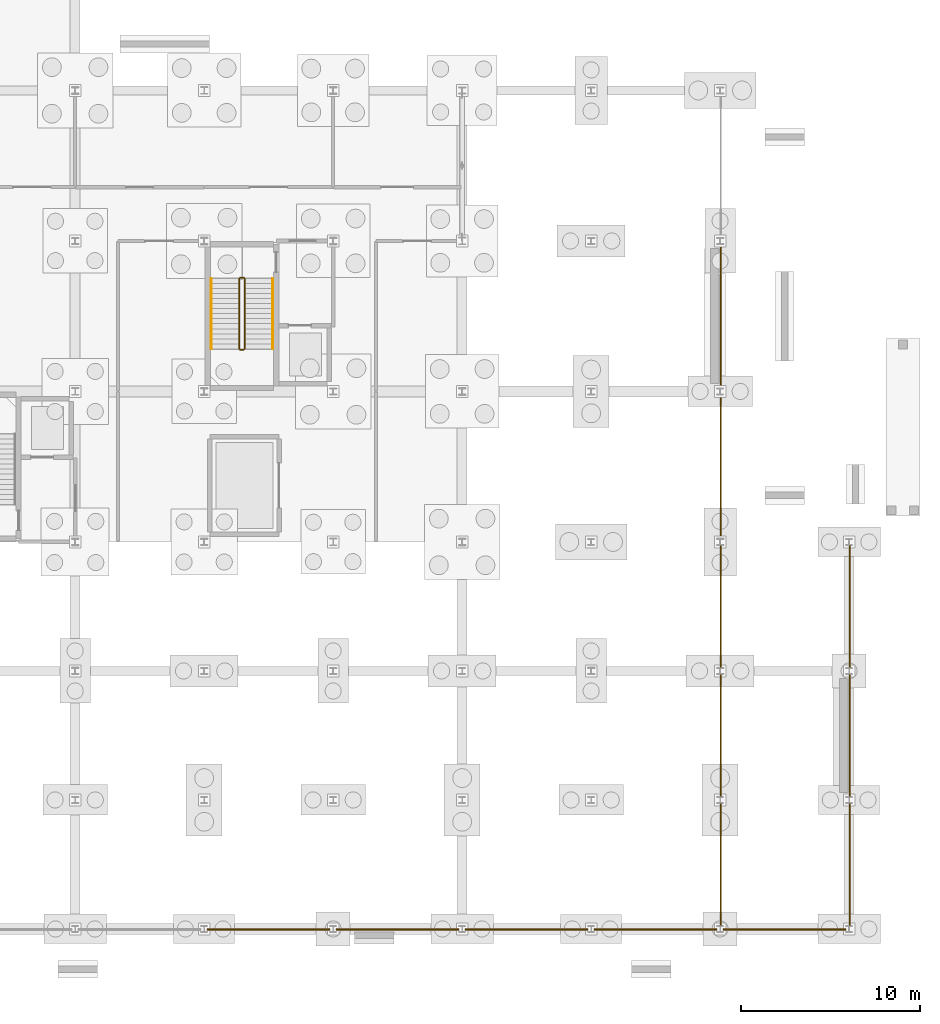
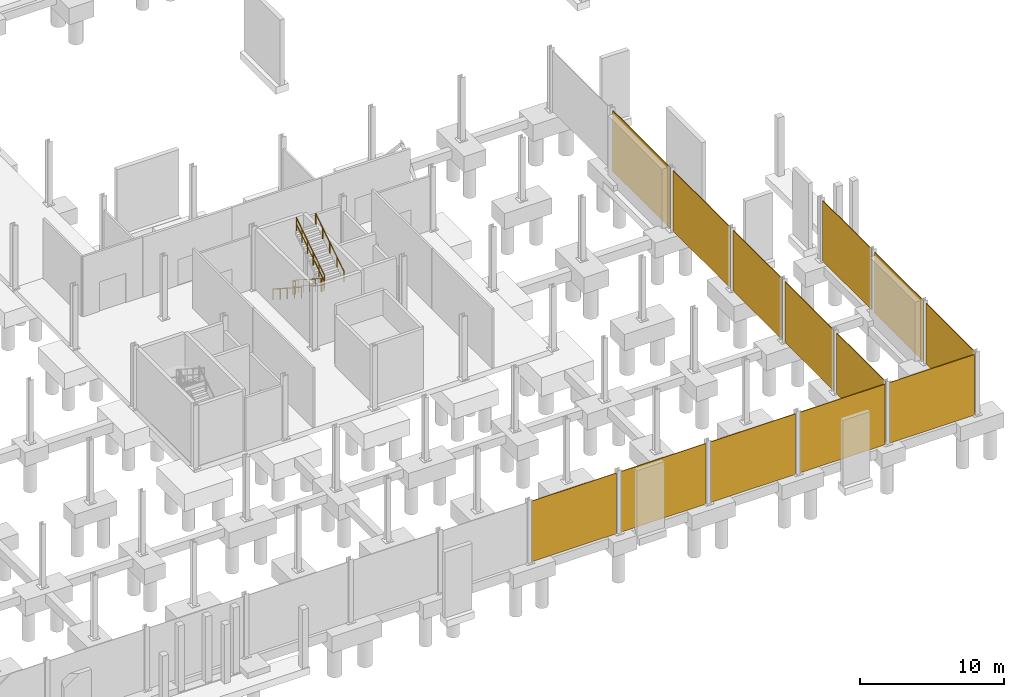
# One storey, part 59 of 61: 13 coverings, 6 railings.
"""IFC4 building model written with IfcOpenShell, lengths in metres."""

from ifc_helpers import new_model, si_unit, direction, frame, origin, origin_2d, place, context, subcontext, project, spatial, polyline, circle, outline, extrude, material, layer, layer_set, type_object, element, save


model = new_model("IFC4")

# Units and contexts
model_context = context("Model", 3, precision=1e-05, world=origin(), true_north=direction((0.0, 1.0)))
body_context = subcontext(model_context, "Body", "Model", "MODEL_VIEW")
ifc_project = project(units=[si_unit("LENGTHUNIT", "METRE"), si_unit("AREAUNIT", "SQUARE_METRE"), si_unit("VOLUMEUNIT", "CUBIC_METRE"), si_unit("PLANEANGLEUNIT", "RADIAN"), si_unit("MASSUNIT", "GRAM", prefix="KILO")], contexts=[model_context])

# Site, building, storey
site_placement = place(None, origin())
site = spatial("IfcSite", under=ifc_project, at=site_placement, CompositionType="ELEMENT")
building_placement = place(site_placement, origin())
building = spatial("IfcBuilding", under=site, at=building_placement, Name="Calvrana Isthmian Art Gallery", CompositionType="ELEMENT")
storey_placement = place(building_placement, frame((0.0, 0.0, -5.39990234375)))
storey = spatial("IfcBuildingStorey", under=building, at=storey_placement, Name="B1", CompositionType="ELEMENT", Elevation=-5.39990234375)

# Coverings
ifc_material_1 = material(Name="Pale Isthmian limestone", Category="masonry")
ifc_layer = layer(ifc_material_1, 0.06005859375, Name="Pale Isthmian limestone")
ifc_layer_set = layer_set([ifc_layer], Name="Pale Isthmian limestone")
covering_type = type_object("IfcCoveringType", Name="COV-PLINTH-LIME", PredefinedType="CLADDING", material=ifc_layer_set)
covering_1_placement = place(storey_placement, origin())
element("IfcCovering", 1, at=covering_1_placement, inside=storey, type_object=covering_type, Name="Limestone basement plinth panel X-009", PredefinedType="CLADDING", context=body_context, shape_type="SweptSolid", body=[
    extrude(outline(polyline([(127.382080078125, -0.06005859375), (134.215576171875, -0.06005859375), (134.215576171875, 0.0), (127.382080078125, 0.0), (127.382080078125, -0.06005859375)])), origin(), (0.0, 0.0, 1.0), 5.14990234375),
])
covering_2_placement = place(storey_placement, origin())
element("IfcCovering", 2, at=covering_2_placement, inside=storey, type_object=covering_type, Name="Limestone basement plinth panel X-010", PredefinedType="CLADDING", context=body_context, shape_type="SweptSolid", body=[
    extrude(outline(polyline([(134.58447265625, -0.06005859375), (141.41552734375, -0.06005859375), (141.41552734375, 0.0), (134.58447265625, 0.0), (134.58447265625, -0.06005859375)])), origin(), (0.0, 0.0, 1.0), 5.14990234375),
])
covering_3_placement = place(storey_placement, origin())
element("IfcCovering", 3, at=covering_3_placement, inside=storey, type_object=covering_type, Name="Limestone basement plinth panel X-011", PredefinedType="CLADDING", context=body_context, shape_type="SweptSolid", body=[
    extrude(outline(polyline([(141.784423828125, -0.06005859375), (148.616455078125, -0.06005859375), (148.616455078125, 0.0), (141.784423828125, 0.0), (141.784423828125, -0.06005859375)])), origin(), (0.0, 0.0, 1.0), 5.14990234375),
])
covering_4_placement = place(storey_placement, origin())
element("IfcCovering", 4, at=covering_4_placement, inside=storey, type_object=covering_type, Name="Limestone basement plinth panel X-012", PredefinedType="CLADDING", context=body_context, shape_type="SweptSolid", body=[
    extrude(outline(polyline([(148.9833984375, -0.06005859375), (155.818115234375, -0.06005859375), (155.818115234375, 0.0), (148.9833984375, 0.0), (148.9833984375, -0.06005859375)])), origin(), (0.0, 0.0, 1.0), 5.14990234375),
])
covering_5_placement = place(storey_placement, origin())
element("IfcCovering", 5, at=covering_5_placement, inside=storey, type_object=covering_type, Name="Limestone basement plinth panel X-013", PredefinedType="CLADDING", context=body_context, shape_type="SweptSolid", body=[
    extrude(outline(polyline([(156.181884765625, -0.06005859375), (163.015380859375, -0.06005859375), (163.015380859375, 0.0), (156.181884765625, 0.0), (156.181884765625, -0.06005859375)])), origin(), (0.0, 0.0, 1.0), 5.14990234375),
])
covering_6_placement = place(storey_placement, origin())
element("IfcCovering", 6, at=covering_6_placement, inside=storey, type_object=covering_type, Name="Limestone basement plinth panel Y-036", PredefinedType="CLADDING", context=body_context, shape_type="SweptSolid", body=[
    extrude(outline(polyline([(156.0, 0.176025390625), (156.06005859375, 0.176025390625), (156.06005859375, 7.0205078125), (156.0, 7.0205078125), (156.0, 0.176025390625)])), origin(), (0.0, 0.0, 1.0), 5.14990234375),
])
covering_7_placement = place(storey_placement, origin())
element("IfcCovering", 7, at=covering_7_placement, inside=storey, type_object=covering_type, Name="Limestone basement plinth panel Y-037", PredefinedType="CLADDING", context=body_context, shape_type="SweptSolid", body=[
    extrude(outline(polyline([(156.0, 7.37939453125), (156.06005859375, 7.37939453125), (156.06005859375, 14.21142578125), (156.0, 14.21142578125), (156.0, 7.37939453125)])), origin(), (0.0, 0.0, 1.0), 5.14990234375),
])
covering_8_placement = place(storey_placement, origin())
element("IfcCovering", 8, at=covering_8_placement, inside=storey, type_object=covering_type, Name="Limestone basement plinth panel Y-038", PredefinedType="CLADDING", context=body_context, shape_type="SweptSolid", body=[
    extrude(outline(polyline([(156.0, 14.58837890625), (156.06005859375, 14.58837890625), (156.06005859375, 21.408935546875), (156.0, 21.408935546875), (156.0, 14.58837890625)])), origin(), (0.0, 0.0, 1.0), 5.14990234375),
])
covering_9_placement = place(storey_placement, origin())
element("IfcCovering", 9, at=covering_9_placement, inside=storey, type_object=covering_type, Name="Limestone basement plinth panel Y-039", PredefinedType="CLADDING", context=body_context, shape_type="SweptSolid", body=[
    extrude(outline(polyline([(156.0, 21.791015625), (156.06005859375, 21.791015625), (156.06005859375, 29.8154296875), (156.0, 29.8154296875), (156.0, 21.791015625)])), origin(), (0.0, 0.0, 1.0), 5.14990234375),
])
covering_10_placement = place(storey_placement, origin())
element("IfcCovering", 10, at=covering_10_placement, inside=storey, type_object=covering_type, Name="Limestone basement plinth panel Y-040", PredefinedType="CLADDING", context=body_context, shape_type="SweptSolid", body=[
    extrude(outline(polyline([(156.0, 30.1845703125), (156.06005859375, 30.1845703125), (156.06005859375, 38.214111328125), (156.0, 38.214111328125), (156.0, 30.1845703125)])), origin(), (0.0, 0.0, 1.0), 5.14990234375),
])
covering_11_placement = place(storey_placement, origin())
element("IfcCovering", 11, at=covering_11_placement, inside=storey, type_object=covering_type, Name="Limestone basement plinth panel Y-047", PredefinedType="CLADDING", context=body_context, shape_type="SweptSolid", body=[
    extrude(outline(polyline([(163.199951171875, 0.1845703125), (163.260009765625, 0.1845703125), (163.260009765625, 7.02392578125), (163.199951171875, 7.02392578125), (163.199951171875, 0.1845703125)])), origin(), (0.0, 0.0, 1.0), 5.14990234375),
])
covering_12_placement = place(storey_placement, origin())
element("IfcCovering", 12, at=covering_12_placement, inside=storey, type_object=covering_type, Name="Limestone basement plinth panel Y-048", PredefinedType="CLADDING", context=body_context, shape_type="SweptSolid", body=[
    extrude(outline(polyline([(163.199951171875, 7.3759765625), (163.260009765625, 7.3759765625), (163.260009765625, 14.220458984375), (163.199951171875, 14.220458984375), (163.199951171875, 7.3759765625)])), origin(), (0.0, 0.0, 1.0), 5.14990234375),
])
covering_13_placement = place(storey_placement, origin())
element("IfcCovering", 13, at=covering_13_placement, inside=storey, type_object=covering_type, Name="Limestone basement plinth panel Y-049", PredefinedType="CLADDING", context=body_context, shape_type="SweptSolid", body=[
    extrude(outline(polyline([(163.199951171875, 14.57958984375), (163.260009765625, 14.57958984375), (163.260009765625, 21.41796875), (163.199951171875, 21.41796875), (163.199951171875, 14.57958984375)])), origin(), (0.0, 0.0, 1.0), 5.14990234375),
])

# Railings
ifc_material_2 = material(Name="Stainless steel 316", Category="steel")
railing_type_1 = type_object("IfcRailingType", Name="RL-GUARD-1120", PredefinedType="BALUSTRADE", material=ifc_material_2)
railing_1_placement = place(storey_placement, frame((129.159912109375, 36.300048828125, 0.179931640625)))
element("IfcRailing", 14, at=railing_1_placement, inside=storey, type_object=railing_type_1, Name="Stair ST-4 guard B1-1", PredefinedType="BALUSTRADE", context=body_context, shape_type="SweptSolid", body=[
    extrude(circle(Radius=0.02392578125, at=origin_2d()), frame((0.0, 0.0, 1.09619140625), z_axis=(0.0, -0.841186985886, 0.540744352514), x_axis=(1.0, 0.0, 0.0)), (0.0, 0.0, 1.0), 4.660400390625),
    extrude(circle(Radius=0.02392578125, at=origin_2d()), frame((0.0, 0.0, 0.56005859375), z_axis=(0.0, -0.841186985886, 0.540744352514), x_axis=(1.0, 0.0, 0.0)), (0.0, 0.0, 1.0), 4.660400390625),
    extrude(circle(Radius=0.02099609375, at=origin_2d()), origin(), (0.0, 0.0, 1.0), 1.072021484375),
    extrude(circle(Radius=0.02099609375, at=origin_2d()), frame((0.0, -0.783935546875, 0.50390625)), (0.0, 0.0, 1.0), 1.072021484375),
    extrude(circle(Radius=0.02099609375, at=origin_2d()), frame((0.0, -1.568115234375, 1.008056640625)), (0.0, 0.0, 1.0), 1.072021484375),
    extrude(circle(Radius=0.02099609375, at=origin_2d()), frame((0.0, -2.35205078125, 1.511962890625)), (0.0, 0.0, 1.0), 1.072021484375),
    extrude(circle(Radius=0.02099609375, at=origin_2d()), frame((0.0, -3.13623046875, 2.01611328125)), (0.0, 0.0, 1.0), 1.072021484375),
    extrude(circle(Radius=0.02099609375, at=origin_2d()), frame((0.0, -3.920166015625, 2.52001953125)), (0.0, 0.0, 1.0), 1.072021484375),
])
railing_2_placement = place(storey_placement, frame((129.2099609375, 32.330078125, 2.699951171875)))
element("IfcRailing", 15, at=railing_2_placement, inside=storey, type_object=railing_type_1, Name="Stair ST-4 guard B1-2", PredefinedType="BALUSTRADE", context=body_context, shape_type="SweptSolid", body=[
    extrude(circle(Radius=0.02392578125, at=origin_2d()), frame((0.0, 0.0, 1.09619140625), z_axis=(1.0, 0.0, 0.0), x_axis=(0.0, 1.0, 0.0)), (0.0, 0.0, 1.0), 0.199951171875),
    extrude(circle(Radius=0.02392578125, at=origin_2d()), frame((0.0, 0.0, 0.56005859375), z_axis=(1.0, 0.0, 0.0), x_axis=(0.0, 1.0, 0.0)), (0.0, 0.0, 1.0), 0.199951171875),
    extrude(circle(Radius=0.02099609375, at=origin_2d()), origin(), (0.0, 0.0, 1.0), 1.072021484375),
    extrude(circle(Radius=0.02099609375, at=origin_2d()), frame((0.199951171875, 0.0, 0.0)), (0.0, 0.0, 1.0), 1.072021484375),
])
railing_3_placement = place(storey_placement, frame((129.4599609375, 32.3798828125, 2.8798828125)))
element("IfcRailing", 16, at=railing_3_placement, inside=storey, type_object=railing_type_1, Name="Stair ST-4 guard B1-3", PredefinedType="BALUSTRADE", context=body_context, shape_type="SweptSolid", body=[
    extrude(circle(Radius=0.02392578125, at=origin_2d()), frame((0.0, 0.0, 1.09619140625), z_axis=(0.0, 0.841186985886, 0.540744352514), x_axis=(-1.0, 0.0, 0.0)), (0.0, 0.0, 1.0), 4.660400390625),
    extrude(circle(Radius=0.02392578125, at=origin_2d()), frame((0.0, 0.0, 0.56005859375), z_axis=(0.0, 0.841186985886, 0.540744352514), x_axis=(-1.0, 0.0, 0.0)), (0.0, 0.0, 1.0), 4.660400390625),
    extrude(circle(Radius=0.02099609375, at=origin_2d()), origin(), (0.0, 0.0, 1.0), 1.072021484375),
    extrude(circle(Radius=0.02099609375, at=origin_2d()), frame((0.0, 0.783935546875, 0.50390625)), (0.0, 0.0, 1.0), 1.072021484375),
    extrude(circle(Radius=0.02099609375, at=origin_2d()), frame((0.0, 1.568115234375, 1.008056640625)), (0.0, 0.0, 1.0), 1.072021484375),
    extrude(circle(Radius=0.02099609375, at=origin_2d()), frame((0.0, 2.35205078125, 1.511962890625)), (0.0, 0.0, 1.0), 1.072021484375),
    extrude(circle(Radius=0.02099609375, at=origin_2d()), frame((0.0, 3.13623046875, 2.01611328125)), (0.0, 0.0, 1.0), 1.072021484375),
    extrude(circle(Radius=0.02099609375, at=origin_2d()), frame((0.0, 3.920166015625, 2.52001953125)), (0.0, 0.0, 1.0), 1.072021484375),
])
railing_4_placement = place(storey_placement, frame((129.2099609375, 36.35009765625, 0.0)))
element("IfcRailing", 17, at=railing_4_placement, inside=storey, type_object=railing_type_1, Name="Stair ST-4 guard B1-4", PredefinedType="BALUSTRADE", context=body_context, shape_type="SweptSolid", body=[
    extrude(circle(Radius=0.02392578125, at=origin_2d()), frame((0.0, 0.0, 1.09619140625), z_axis=(1.0, 0.0, 0.0), x_axis=(0.0, 1.0, 0.0)), (0.0, 0.0, 1.0), 0.199951171875),
    extrude(circle(Radius=0.02392578125, at=origin_2d()), frame((0.0, 0.0, 0.56005859375), z_axis=(1.0, 0.0, 0.0), x_axis=(0.0, 1.0, 0.0)), (0.0, 0.0, 1.0), 0.199951171875),
    extrude(circle(Radius=0.02099609375, at=origin_2d()), origin(), (0.0, 0.0, 1.0), 1.072021484375),
    extrude(circle(Radius=0.02099609375, at=origin_2d()), frame((0.199951171875, 0.0, 0.0)), (0.0, 0.0, 1.0), 1.072021484375),
])
railing_type_2 = type_object("IfcRailingType", Name="RL-HAND-920", PredefinedType="HANDRAIL", material=ifc_material_2)
railing_5_placement = place(storey_placement, frame((127.60009765625, 36.300048828125, 0.179931640625)))
element("IfcRailing", 18, at=railing_5_placement, inside=storey, type_object=railing_type_2, Name="Stair ST-4 handrail B1-1", PredefinedType="HANDRAIL", context=body_context, shape_type="SweptSolid", body=[
    extrude(circle(Radius=0.02392578125, at=origin_2d()), frame((0.0, 0.0, 0.89599609375), z_axis=(0.0, -0.841186985886, 0.540744352514), x_axis=(1.0, 0.0, 0.0)), (0.0, 0.0, 1.0), 4.660400390625),
    extrude(circle(Radius=0.02099609375, at=origin_2d()), origin(), (0.0, 0.0, 1.0), 0.871826171875),
    extrude(circle(Radius=0.02099609375, at=origin_2d()), frame((0.0, -0.97998046875, 0.6298828125)), (0.0, 0.0, 1.0), 0.871826171875),
    extrude(circle(Radius=0.02099609375, at=origin_2d()), frame((0.0, -1.9599609375, 1.260009765625)), (0.0, 0.0, 1.0), 0.871826171875),
    extrude(circle(Radius=0.02099609375, at=origin_2d()), frame((0.0, -2.940185546875, 1.89013671875)), (0.0, 0.0, 1.0), 0.871826171875),
    extrude(circle(Radius=0.02099609375, at=origin_2d()), frame((0.0, -3.920166015625, 2.52001953125)), (0.0, 0.0, 1.0), 0.871826171875),
])
railing_6_placement = place(storey_placement, frame((131.02001953125, 32.3798828125, 2.8798828125)))
element("IfcRailing", 19, at=railing_6_placement, inside=storey, type_object=railing_type_2, Name="Stair ST-4 handrail B1-2", PredefinedType="HANDRAIL", context=body_context, shape_type="SweptSolid", body=[
    extrude(circle(Radius=0.02392578125, at=origin_2d()), frame((0.0, 0.0, 0.89599609375), z_axis=(0.0, 0.841186985886, 0.540744352514), x_axis=(-1.0, 0.0, 0.0)), (0.0, 0.0, 1.0), 4.660400390625),
    extrude(circle(Radius=0.02099609375, at=origin_2d()), origin(), (0.0, 0.0, 1.0), 0.871826171875),
    extrude(circle(Radius=0.02099609375, at=origin_2d()), frame((0.0, 0.97998046875, 0.6298828125)), (0.0, 0.0, 1.0), 0.871826171875),
    extrude(circle(Radius=0.02099609375, at=origin_2d()), frame((0.0, 1.9599609375, 1.260009765625)), (0.0, 0.0, 1.0), 0.871826171875),
    extrude(circle(Radius=0.02099609375, at=origin_2d()), frame((0.0, 2.940185546875, 1.89013671875)), (0.0, 0.0, 1.0), 0.871826171875),
    extrude(circle(Radius=0.02099609375, at=origin_2d()), frame((0.0, 3.920166015625, 2.52001953125)), (0.0, 0.0, 1.0), 0.871826171875),
])

save(model, "model.ifc")
